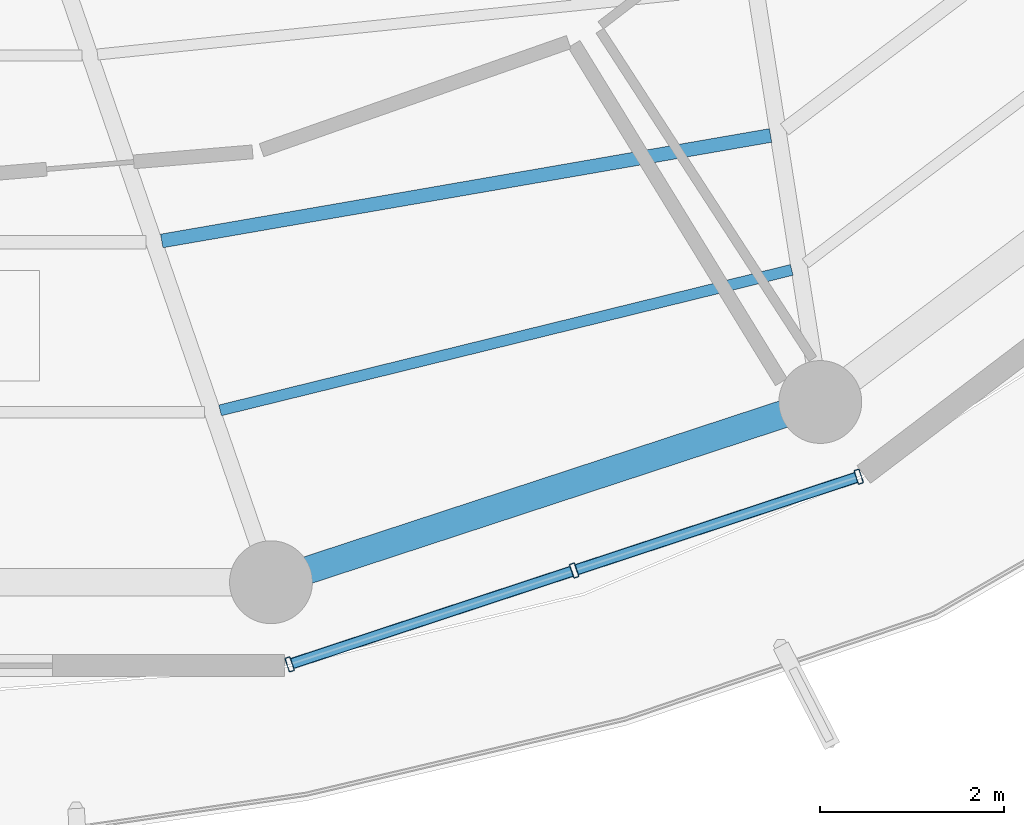
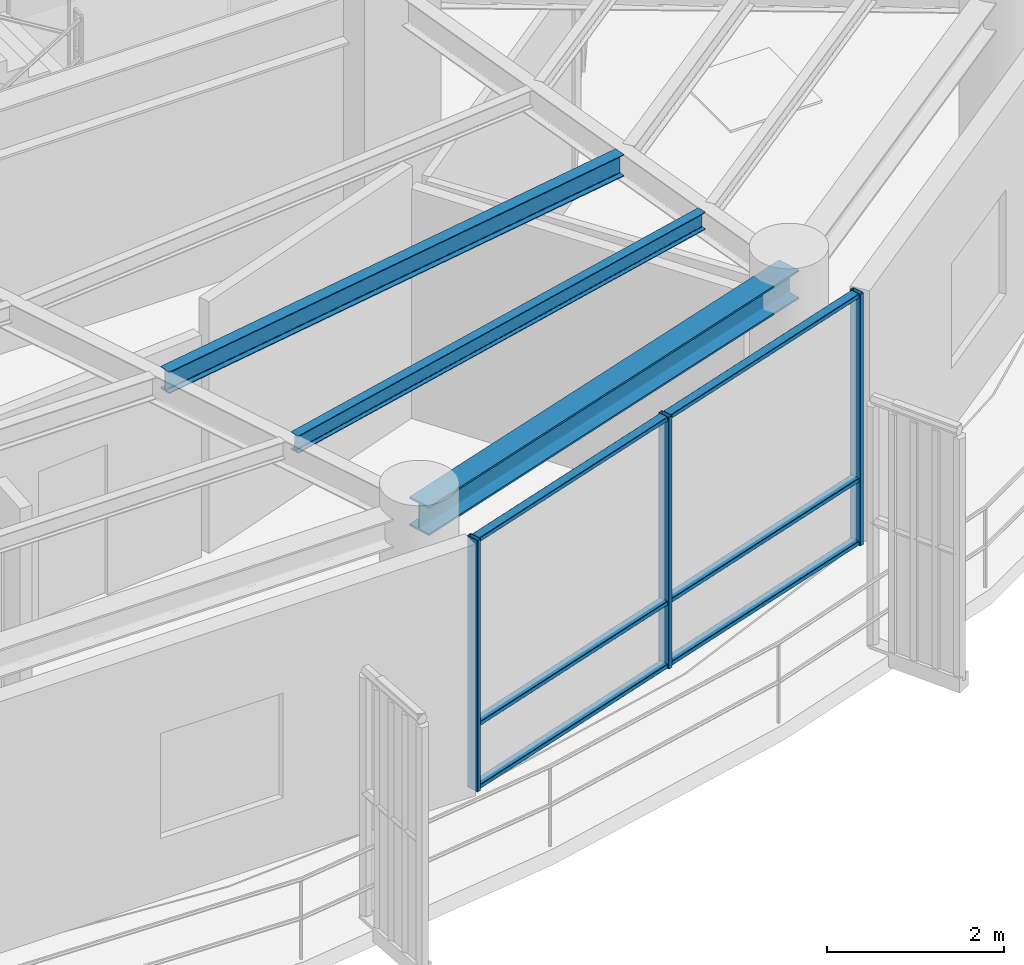
# One storey, part 4 of 23: 9 members, 3 beams, 1 element without a shape of its own.
"""IFC4 building model written with IfcOpenShell, lengths in metres."""

from ifc_helpers import new_model, si_unit, direction, frame, origin, origin_2d, place, context, subcontext, project, spatial, hollow_rectangle, i_section, extrude, material, layer, layer_set, material_profile, profile_set, type_object, element, aggregate, save


model = new_model("IFC4")

# Units and contexts
model_context = context("Model", 3, precision=1e-05, world=origin(), true_north=direction((0.0, 1.0)))
body_context = subcontext(model_context, "Body", "Model", "MODEL_VIEW")
ifc_project = project(units=[si_unit("LENGTHUNIT", "METRE"), si_unit("AREAUNIT", "SQUARE_METRE"), si_unit("VOLUMEUNIT", "CUBIC_METRE"), si_unit("PLANEANGLEUNIT", "RADIAN"), si_unit("MASSUNIT", "GRAM", prefix="KILO")], contexts=[model_context])

# Site, building, storey
site_placement = place(None, origin())
site = spatial("IfcSite", under=ifc_project, at=site_placement, CompositionType="ELEMENT")
building_placement = place(site_placement, origin())
building = spatial("IfcBuilding", under=site, at=building_placement, Name="Kelanora Arch Commons", CompositionType="ELEMENT")
storey_placement = place(building_placement, frame((0.0, 0.0, 278.699951171875)))
storey = spatial("IfcBuildingStorey", under=building, at=storey_placement, Name="L71", CompositionType="ELEMENT", Elevation=278.699951171875)

# Beams
ifc_material_1 = material(Name="Steel S355", Category="steel")
ifc_material_profile_1 = material_profile(ifc_material_1, i_section(OverallWidth=0.14990234375, OverallDepth=0.300048828125, WebThickness=0.007080078125, FlangeThickness=0.0107421875, FilletRadius=0.014892578125, at=origin_2d()), Name="IPE300")
ifc_profile_set_1 = profile_set([ifc_material_profile_1], Name="Steel S355")
beam_type_1 = type_object("IfcBeamType", Name="BM-JST-01", PredefinedType="JOIST", material=ifc_profile_set_1)
beam_1_placement = place(storey_placement, frame((75.98828125, 45.476806640625, 3.340087890625), z_axis=(0.985321568263, 0.170708544357, 0.0), x_axis=(-0.170708544357, 0.985321568263, 0.0)))
element("IfcBeam", 1, at=beam_1_placement, inside=storey, type_object=beam_type_1, Name="Secondary Chord Joist BJB-28 L71", PredefinedType="JOIST", context=body_context, shape_type="SweptSolid", body=[
    extrude(i_section(OverallWidth=0.14990234375, OverallDepth=0.300048828125, WebThickness=0.007080078125, FlangeThickness=0.0107421875, FilletRadius=0.014892578125, at=origin_2d()), origin(), (0.0, 0.0, 1.0), 6.710205078125),
])
ifc_material_profile_2 = material_profile(ifc_material_1, i_section(OverallWidth=0.1201171875, OverallDepth=0.239990234375, WebThickness=0.006103515625, FlangeThickness=0.009765625, FilletRadius=0.014892578125, at=origin_2d()), Name="IPE240")
ifc_profile_set_2 = profile_set([ifc_material_profile_2], Name="Steel S355")
beam_type_2 = type_object("IfcBeamType", Name="BM-JST-02", PredefinedType="JOIST", material=ifc_profile_set_2)
beam_2_placement = place(storey_placement, frame((76.6220703125, 43.63671875, 3.3701171875), z_axis=(0.971109719488, 0.23863342749, 0.0), x_axis=(-0.23863342749, 0.971109719488, 0.0)))
element("IfcBeam", 2, at=beam_2_placement, inside=storey, type_object=beam_type_2, Name="Secondary Chord Joist BJC-28 L71", PredefinedType="JOIST", context=body_context, shape_type="SweptSolid", body=[
    extrude(i_section(OverallWidth=0.1201171875, OverallDepth=0.239990234375, WebThickness=0.006103515625, FlangeThickness=0.009765625, FilletRadius=0.014892578125, at=origin_2d()), origin(), (0.0, 0.0, 1.0), 6.39208984375),
])
ifc_material_profile_3 = material_profile(ifc_material_1, i_section(OverallWidth=0.300048828125, OverallDepth=0.39990234375, WebThickness=0.013427734375, FlangeThickness=0.02392578125, FilletRadius=0.027099609375, at=origin_2d()), Name="HEB400")
ifc_profile_set_3 = profile_set([ifc_material_profile_3], Name="Steel S355")
beam_type_3 = type_object("IfcBeamType", Name="BM-SPN-Z4", PredefinedType="SPANDREL", material=ifc_profile_set_3)
beam_3_placement = place(storey_placement, frame((77.17431640625, 41.7705078125, 3.2900390625), z_axis=(0.950165923039, 0.311744636996, 0.0), x_axis=(-0.311744636996, 0.950165923039, 0.0)))
element("IfcBeam", 3, at=beam_3_placement, inside=storey, type_object=beam_type_3, Name="Perimeter Spandrel Beam BS-28 L71", PredefinedType="SPANDREL", context=body_context, shape_type="SweptSolid", body=[
    extrude(i_section(OverallWidth=0.300048828125, OverallDepth=0.39990234375, WebThickness=0.013427734375, FlangeThickness=0.02392578125, FilletRadius=0.027099609375, at=origin_2d()), origin(), (0.0, 0.0, 1.0), 6.278564453125),
])

# Curtain wall, members
ifc_material_2 = material(Name="Terracotta ceramic-fritted low-E glass and aluminium", Category="masonry")
ifc_layer = layer(ifc_material_2, 0.18994140625)
ifc_layer_set = layer_set([ifc_layer], Name="Terracotta ceramic-fritted low-E glass and aluminium")
curtain_wall_type = type_object("IfcCurtainWallType", Name="CW-SYS-03", PredefinedType="NOTDEFINED", material=ifc_layer_set)
curtain_wall_placement = place(storey_placement, origin())
curtain_wall = element("IfcCurtainWall", 4, at=curtain_wall_placement, inside=storey, type_object=curtain_wall_type, Name="Unitised Curtain Wall L71-B14", PredefinedType="NOTDEFINED")
ifc_material_3 = material(Name="Powder-coated aluminium terracotta", Category="masonry")
ifc_material_profile_4 = material_profile(ifc_material_3, hollow_rectangle(XDim=0.159912109375, YDim=0.06005859375, WallThickness=0.0048828125, InnerFilletRadius=0.0048828125, OuterFilletRadius=0.010009765625, at=origin_2d()), Name="CWM160x60")
ifc_profile_set_4 = profile_set([ifc_material_profile_4], Name="Powder-coated aluminium terracotta")
member_type_1 = type_object("IfcMemberType", Name="CWM-STD", PredefinedType="MULLION", material=ifc_profile_set_4)
member_1_placement = place(storey_placement, frame((77.376708984375, 40.87841796875, 0.0), z_axis=(0.0, 0.0, 1.0), x_axis=(-0.313252785344, 0.949669780752, 0.0)))
member_1 = element("IfcMember", 5, at=member_1_placement, type_object=member_type_1, Name="CW-03 mullion 1", PredefinedType="MULLION", context=body_context, shape_type="SweptSolid", body=[
    extrude(hollow_rectangle(XDim=0.159912109375, YDim=0.06005859375, WallThickness=0.0048828125, InnerFilletRadius=0.0048828125, OuterFilletRadius=0.010009765625, at=origin_2d()), origin(), (0.0, 0.0, 1.0), 3.47509765625),
])
member_2_placement = place(storey_placement, frame((80.467041015625, 41.897705078125, 0.0), z_axis=(0.0, 0.0, 1.0), x_axis=(-0.313252785344, 0.949669780752, 0.0)))
member_2 = element("IfcMember", 6, at=member_2_placement, type_object=member_type_1, Name="CW-03 mullion 2", PredefinedType="MULLION", context=body_context, shape_type="SweptSolid", body=[
    extrude(hollow_rectangle(XDim=0.159912109375, YDim=0.06005859375, WallThickness=0.0048828125, InnerFilletRadius=0.0048828125, OuterFilletRadius=0.010009765625, at=origin_2d()), origin(), (0.0, 0.0, 1.0), 3.47509765625),
])
member_3_placement = place(storey_placement, frame((83.557373046875, 42.9169921875, 0.0), z_axis=(0.0, 0.0, 1.0), x_axis=(-0.313252785344, 0.949669780752, 0.0)))
member_3 = element("IfcMember", 7, at=member_3_placement, type_object=member_type_1, Name="CW-03 mullion 3", PredefinedType="MULLION", context=body_context, shape_type="SweptSolid", body=[
    extrude(hollow_rectangle(XDim=0.159912109375, YDim=0.06005859375, WallThickness=0.0048828125, InnerFilletRadius=0.0048828125, OuterFilletRadius=0.010009765625, at=origin_2d()), origin(), (0.0, 0.0, 1.0), 3.47509765625),
])
ifc_material_profile_5 = material_profile(ifc_material_3, hollow_rectangle(XDim=0.1201171875, YDim=0.06005859375, WallThickness=0.0048828125, InnerFilletRadius=0.0048828125, OuterFilletRadius=0.010009765625, at=origin_2d()), Name="CWT120x60")
ifc_profile_set_5 = profile_set([ifc_material_profile_5], Name="Powder-coated aluminium terracotta")
member_type_2 = type_object("IfcMemberType", Name="CWT-STD", PredefinedType="USERDEFINED", material=ifc_profile_set_5)
member_4_placement = place(storey_placement, frame((77.4052734375, 40.8876953125, 0.030029296875), z_axis=(0.949649574195, 0.313314037719, 0.0), x_axis=(-0.313314037719, 0.949649574195, 0.0)))
member_4 = element("IfcMember", 8, at=member_4_placement, type_object=member_type_2, Name="CW-03 transom 1.1", ObjectType="TRANSOM", PredefinedType="USERDEFINED", context=body_context, shape_type="SweptSolid", body=[
    extrude(hollow_rectangle(XDim=0.1201171875, YDim=0.06005859375, WallThickness=0.0048828125, InnerFilletRadius=0.0048828125, OuterFilletRadius=0.010009765625, at=origin_2d()), origin(), (0.0, 0.0, 1.0), 3.194091796875),
])
member_5_placement = place(storey_placement, frame((77.4052734375, 40.8876953125, 0.900146484375), z_axis=(0.949649574195, 0.313314037719, 0.0), x_axis=(-0.313314037719, 0.949649574195, 0.0)))
member_5 = element("IfcMember", 9, at=member_5_placement, type_object=member_type_2, Name="CW-03 transom 1.2", ObjectType="TRANSOM", PredefinedType="USERDEFINED", context=body_context, shape_type="SweptSolid", body=[
    extrude(hollow_rectangle(XDim=0.1201171875, YDim=0.06005859375, WallThickness=0.0048828125, InnerFilletRadius=0.0048828125, OuterFilletRadius=0.010009765625, at=origin_2d()), origin(), (0.0, 0.0, 1.0), 3.194091796875),
])
member_6_placement = place(storey_placement, frame((77.4052734375, 40.8876953125, 3.445068359375), z_axis=(0.949649574195, 0.313314037719, 0.0), x_axis=(-0.313314037719, 0.949649574195, 0.0)))
member_6 = element("IfcMember", 10, at=member_6_placement, type_object=member_type_2, Name="CW-03 transom 1.3", ObjectType="TRANSOM", PredefinedType="USERDEFINED", context=body_context, shape_type="SweptSolid", body=[
    extrude(hollow_rectangle(XDim=0.1201171875, YDim=0.06005859375, WallThickness=0.0048828125, InnerFilletRadius=0.0048828125, OuterFilletRadius=0.010009765625, at=origin_2d()), origin(), (0.0, 0.0, 1.0), 3.194091796875),
])
member_7_placement = place(storey_placement, frame((80.49560546875, 41.9072265625, 0.030029296875), z_axis=(0.949672315102, 0.313245102003, 0.0), x_axis=(-0.313245102003, 0.949672315102, 0.0)))
member_7 = element("IfcMember", 11, at=member_7_placement, type_object=member_type_2, Name="CW-03 transom 2.1", ObjectType="TRANSOM", PredefinedType="USERDEFINED", context=body_context, shape_type="SweptSolid", body=[
    extrude(hollow_rectangle(XDim=0.1201171875, YDim=0.06005859375, WallThickness=0.0048828125, InnerFilletRadius=0.0048828125, OuterFilletRadius=0.010009765625, at=origin_2d()), origin(), (0.0, 0.0, 1.0), 3.19384765625),
])
member_8_placement = place(storey_placement, frame((80.49560546875, 41.9072265625, 0.900146484375), z_axis=(0.949672315102, 0.313245102003, 0.0), x_axis=(-0.313245102003, 0.949672315102, 0.0)))
member_8 = element("IfcMember", 12, at=member_8_placement, type_object=member_type_2, Name="CW-03 transom 2.2", ObjectType="TRANSOM", PredefinedType="USERDEFINED", context=body_context, shape_type="SweptSolid", body=[
    extrude(hollow_rectangle(XDim=0.1201171875, YDim=0.06005859375, WallThickness=0.0048828125, InnerFilletRadius=0.0048828125, OuterFilletRadius=0.010009765625, at=origin_2d()), origin(), (0.0, 0.0, 1.0), 3.19384765625),
])
member_9_placement = place(storey_placement, frame((80.49560546875, 41.9072265625, 3.445068359375), z_axis=(0.949672315102, 0.313245102003, 0.0), x_axis=(-0.313245102003, 0.949672315102, 0.0)))
member_9 = element("IfcMember", 13, at=member_9_placement, type_object=member_type_2, Name="CW-03 transom 2.3", ObjectType="TRANSOM", PredefinedType="USERDEFINED", context=body_context, shape_type="SweptSolid", body=[
    extrude(hollow_rectangle(XDim=0.1201171875, YDim=0.06005859375, WallThickness=0.0048828125, InnerFilletRadius=0.0048828125, OuterFilletRadius=0.010009765625, at=origin_2d()), origin(), (0.0, 0.0, 1.0), 3.19384765625),
])
aggregate(curtain_wall, [member_1, member_2, member_3, member_4, member_5, member_6, member_7, member_8, member_9])

save(model, "model.ifc")
